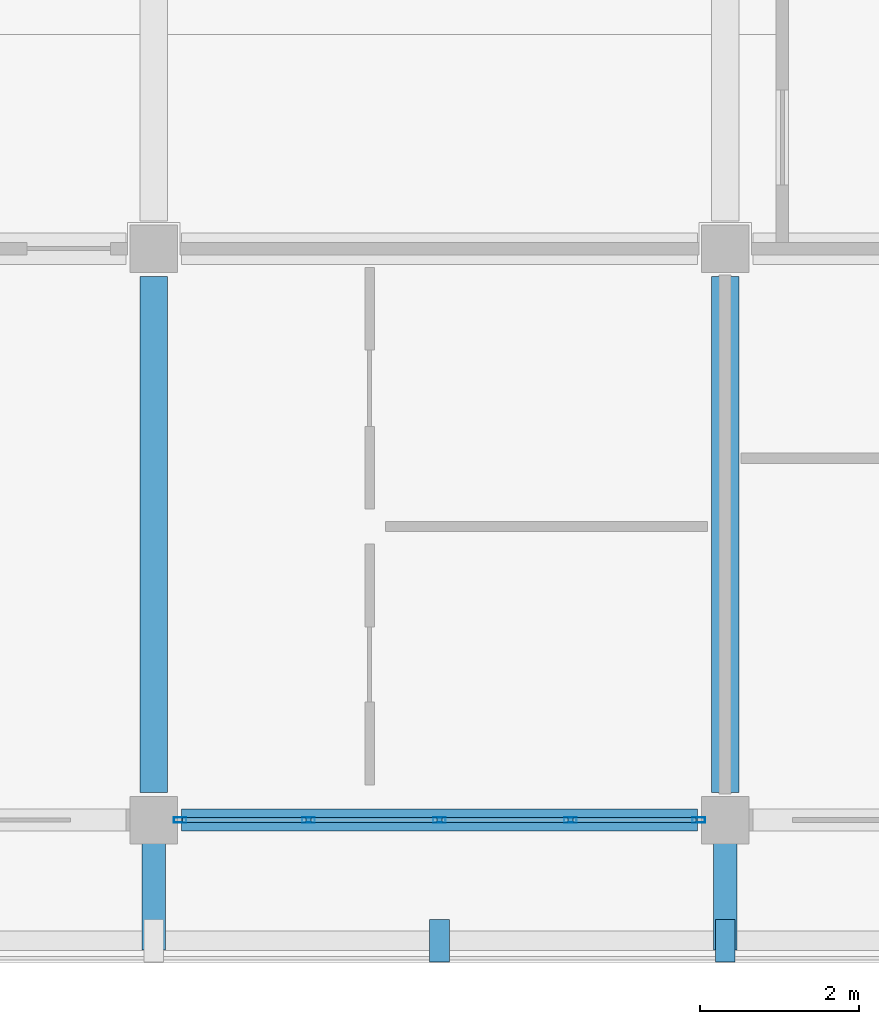
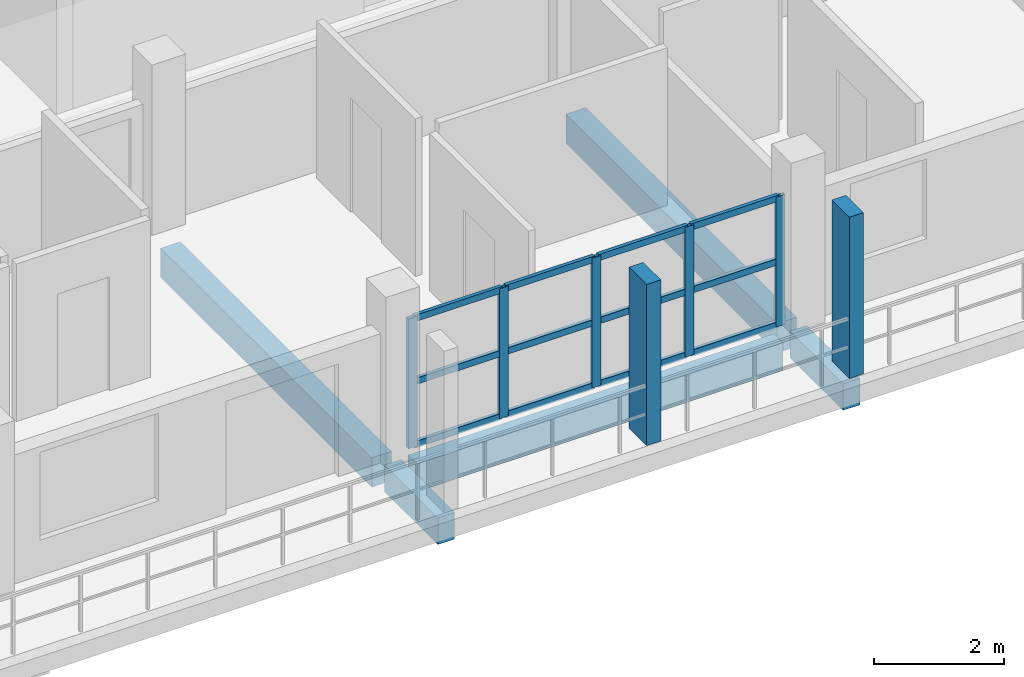
# One storey, part 18 of 157: 19 members, 5 beams, 1 element without a shape of its own.
"""IFC4 building model written with IfcOpenShell, lengths in metres."""

from ifc_helpers import new_model, si_unit, direction, frame, origin, origin_2d, place, context, subcontext, project, spatial, rectangle, hollow_rectangle, extrude, material, material_profile, profile_set, type_object, element, aggregate, save


model = new_model("IFC4")

# Units and contexts
model_context = context("Model", 3, precision=1e-05, world=origin(), true_north=direction((0.0, 1.0)))
body_context = subcontext(model_context, "Body", "Model", "MODEL_VIEW")
ifc_project = project(units=[si_unit("LENGTHUNIT", "METRE"), si_unit("AREAUNIT", "SQUARE_METRE"), si_unit("VOLUMEUNIT", "CUBIC_METRE"), si_unit("PLANEANGLEUNIT", "RADIAN"), si_unit("MASSUNIT", "GRAM", prefix="KILO")], contexts=[model_context])

# Site, building, storey
site_placement = place(None, origin())
site = spatial("IfcSite", under=ifc_project, at=site_placement, CompositionType="ELEMENT")
building_placement = place(site_placement, origin())
building = spatial("IfcBuilding", under=site, at=building_placement, Name="Suanplinth Sawtooth Commons", CompositionType="ELEMENT")
storey_placement = place(building_placement, frame((0.0, 0.0, 9.0)))
storey = spatial("IfcBuildingStorey", under=building, at=storey_placement, Name="L02", CompositionType="ELEMENT", Elevation=9.0)

# Beams
ifc_material_1 = material(Name="Precast concrete C40/50", Category="concrete")
ifc_material_profile_1 = material_profile(ifc_material_1, rectangle(XDim=0.35009765625, YDim=0.550048828125, at=origin_2d()), Name="PC-BM 350x550")
ifc_profile_set_1 = profile_set([ifc_material_profile_1], Name="Precast concrete C40/50")
beam_type_1 = type_object("IfcBeamType", Name="B-06", PredefinedType="BEAM", material=ifc_profile_set_1)
for number, where, z_axis, x_axis, name in (
    (1, (14.39990234375, 0.35009765625, -0.52490234375), (0.0, 1.0, 0.0), (-1.0, 0.0, 0.0), "BMY-L02-D-2-0"),
    (2, (21.60009765625, 0.35009765625, -0.52490234375), (0.0, 1.0, 0.0), (-1.0, 0.0, 0.0), "BMY-L02-D-3-0"),
):
    element("IfcBeam", number, at=place(storey_placement, frame(where, z_axis=z_axis, x_axis=x_axis)), inside=storey, type_object=beam_type_1, Name=name, PredefinedType="BEAM", context=body_context, shape_type="SweptSolid", body=[
        extrude(rectangle(XDim=0.35009765625, YDim=0.550048828125, at=origin_2d()), origin(), (0.0, 0.0, 1.0), 6.5),
    ])
ifc_material_profile_2 = material_profile(ifc_material_1, rectangle(XDim=0.300048828125, YDim=0.5, at=origin_2d()), Name="PC-BM 300x500")
ifc_profile_set_2 = profile_set([ifc_material_profile_2], Name="Precast concrete C40/50")
beam_type_2 = type_object("IfcBeamType", Name="B-07", PredefinedType="BEAM", material=ifc_profile_set_2)
for number, where, z_axis, x_axis, name in (
    (3, (14.39990234375, 0.0, -0.429931640625), (0.0, -1.0, 0.0), (1.0, 0.0, 0.0), "Balcony Outrigger L02-D-S-2"),
    (4, (21.60009765625, 0.0, -0.429931640625), (0.0, -1.0, 0.0), (1.0, 0.0, 0.0), "Balcony Outrigger L02-D-S-3"),
):
    element("IfcBeam", number, at=place(storey_placement, frame(where, z_axis=z_axis, x_axis=x_axis)), inside=storey, type_object=beam_type_2, Name=name, PredefinedType="BEAM", context=body_context, shape_type="SweptSolid", body=[
        extrude(rectangle(XDim=0.300048828125, YDim=0.5, at=origin_2d()), origin(), (0.0, 0.0, 1.0), 1.639892578125),
    ])
ifc_material_profile_3 = material_profile(ifc_material_1, rectangle(XDim=0.280029296875, YDim=0.52001953125, at=origin_2d()), Name="PC-SP 280x520")
ifc_profile_set_3 = profile_set([ifc_material_profile_3], Name="Precast concrete C40/50")
beam_type_3 = type_object("IfcBeamType", Name="B-08", PredefinedType="SPANDREL", material=ifc_profile_set_3)
beam_placement = place(storey_placement, frame((14.75, 0.0, -0.510009765625), z_axis=(1.0, 0.0, 0.0), x_axis=(0.0, 1.0, 0.0)))
element("IfcBeam", 5, at=beam_placement, inside=storey, type_object=beam_type_3, Name="BMX-L02-D-2-0", PredefinedType="SPANDREL", context=body_context, shape_type="SweptSolid", body=[
    extrude(rectangle(XDim=0.280029296875, YDim=0.52001953125, at=origin_2d()), origin(), (0.0, 0.0, 1.0), 6.5),
])

# Members
ifc_material_2 = material(Name="Pigmented precast concrete C40/50", Category="concrete")
ifc_material_profile_4 = material_profile(ifc_material_2, rectangle(XDim=0.25, YDim=0.5400390625, at=origin_2d()), Name="PC-FIN 250x540")
ifc_profile_set_4 = profile_set([ifc_material_profile_4], Name="Pigmented precast concrete C40/50")
member_type_1 = type_object("IfcMemberType", Name="M-11", PredefinedType="USERDEFINED", material=ifc_profile_set_4)
for number, where, z_axis, x_axis, name in (
    (6, (18.0, -1.52001953125, 0.0), (0.0, 0.0, 1.0), (1.0, 0.0, 0.0), "Upright Solar Blade L02-D-S-03"),
    (7, (21.60009765625, -1.52001953125, 0.0), (0.0, 0.0, 1.0), (1.0, 0.0, 0.0), "Upright Solar Blade L02-D-S-04"),
):
    element("IfcMember", number, at=place(storey_placement, frame(where, z_axis=z_axis, x_axis=x_axis)), inside=storey, type_object=member_type_1, Name=name, ObjectType="SHADING FIN", PredefinedType="USERDEFINED", context=body_context, shape_type="SweptSolid", body=[
        extrude(rectangle(XDim=0.25, YDim=0.5400390625, at=origin_2d()), origin(), (0.0, 0.0, 1.0), 3.030029296875),
    ])

# Curtain wall, members
ifc_material_3 = material(Name="Anodized aluminium and low-E glazing", Category="aluminium")
curtain_wall_type = type_object("IfcCurtainWallType", Name="CW-06", PredefinedType="USERDEFINED", material=ifc_material_3)
curtain_wall_placement = place(storey_placement, origin())
curtain_wall = element("IfcCurtainWall", 8, at=curtain_wall_placement, inside=storey, type_object=curtain_wall_type, Name="Curtain Wall CW-L02-D-LOUNGE-2", ObjectType="CURTAIN WALL", PredefinedType="USERDEFINED")
ifc_material_4 = material(Name="Anodized aluminium 6063-T6", Category="aluminium")
ifc_material_profile_5 = material_profile(ifc_material_4, hollow_rectangle(XDim=0.06494140625, YDim=0.159912109375, WallThickness=0.00390625, at=origin_2d()), Name="ALU-MUL 65x160")
ifc_profile_set_5 = profile_set([ifc_material_profile_5], Name="Anodized aluminium 6063-T6")
member_type_2 = type_object("IfcMemberType", Name="M-13", PredefinedType="MULLION", material=ifc_profile_set_5)
member_1_placement = place(storey_placement, frame((14.732421875, 0.0, 0.0), z_axis=(0.0, 0.0, 1.0), x_axis=(0.0, 1.0, 0.0)))
member_1 = element("IfcMember", 9, at=member_1_placement, type_object=member_type_2, Name="CW-06 mullion 1", PredefinedType="MULLION", context=body_context, shape_type="SweptSolid", body=[
    extrude(hollow_rectangle(XDim=0.06494140625, YDim=0.159912109375, WallThickness=0.00390625, at=origin_2d()), origin(), (0.0, 0.0, 1.0), 2.43994140625),
])
member_2_placement = place(storey_placement, frame((16.35009765625, 0.0, 0.0), z_axis=(0.0, 0.0, 1.0), x_axis=(0.0, 1.0, 0.0)))
member_2 = element("IfcMember", 10, at=member_2_placement, type_object=member_type_2, Name="CW-06 mullion 2", PredefinedType="MULLION", context=body_context, shape_type="SweptSolid", body=[
    extrude(hollow_rectangle(XDim=0.06494140625, YDim=0.159912109375, WallThickness=0.00390625, at=origin_2d()), origin(), (0.0, 0.0, 1.0), 2.43994140625),
])
member_3_placement = place(storey_placement, frame((18.0, 0.0, 0.0), z_axis=(0.0, 0.0, 1.0), x_axis=(0.0, 1.0, 0.0)))
member_3 = element("IfcMember", 11, at=member_3_placement, type_object=member_type_2, Name="CW-06 mullion 3", PredefinedType="MULLION", context=body_context, shape_type="SweptSolid", body=[
    extrude(hollow_rectangle(XDim=0.06494140625, YDim=0.159912109375, WallThickness=0.00390625, at=origin_2d()), origin(), (0.0, 0.0, 1.0), 2.43994140625),
])
member_4_placement = place(storey_placement, frame((19.64990234375, 0.0, 0.0), z_axis=(0.0, 0.0, 1.0), x_axis=(0.0, 1.0, 0.0)))
member_4 = element("IfcMember", 12, at=member_4_placement, type_object=member_type_2, Name="CW-06 mullion 4", PredefinedType="MULLION", context=body_context, shape_type="SweptSolid", body=[
    extrude(hollow_rectangle(XDim=0.06494140625, YDim=0.159912109375, WallThickness=0.00390625, at=origin_2d()), origin(), (0.0, 0.0, 1.0), 2.43994140625),
])
member_5_placement = place(storey_placement, frame((21.267578125, 0.0, 0.0), z_axis=(0.0, 0.0, 1.0), x_axis=(0.0, 1.0, 0.0)))
member_5 = element("IfcMember", 13, at=member_5_placement, type_object=member_type_2, Name="CW-06 mullion 5", PredefinedType="MULLION", context=body_context, shape_type="SweptSolid", body=[
    extrude(hollow_rectangle(XDim=0.06494140625, YDim=0.159912109375, WallThickness=0.00390625, at=origin_2d()), origin(), (0.0, 0.0, 1.0), 2.43994140625),
])
ifc_material_profile_6 = material_profile(ifc_material_4, hollow_rectangle(XDim=0.06494140625, YDim=0.1201171875, WallThickness=0.00390625, at=origin_2d()), Name="ALU-TRN 65x120")
ifc_profile_set_6 = profile_set([ifc_material_profile_6], Name="Anodized aluminium 6063-T6")
member_type_3 = type_object("IfcMemberType", Name="M-15", PredefinedType="USERDEFINED", material=ifc_profile_set_6)
member_6_placement = place(storey_placement, frame((14.764892578125, 0.0, 0.032470703125), z_axis=(1.0, 0.0, 0.0), x_axis=(0.0, 1.0, 0.0)))
member_6 = element("IfcMember", 14, at=member_6_placement, type_object=member_type_3, Name="CW-06 transom 1.1", ObjectType="TRANSOM", PredefinedType="USERDEFINED", context=body_context, shape_type="SweptSolid", body=[
    extrude(hollow_rectangle(XDim=0.06494140625, YDim=0.1201171875, WallThickness=0.00390625, at=origin_2d()), origin(), (0.0, 0.0, 1.0), 1.552490234375),
])
member_7_placement = place(storey_placement, frame((14.764892578125, 0.0, 1.219970703125), z_axis=(1.0, 0.0, 0.0), x_axis=(0.0, 1.0, 0.0)))
member_7 = element("IfcMember", 15, at=member_7_placement, type_object=member_type_3, Name="CW-06 transom 1.2", ObjectType="TRANSOM", PredefinedType="USERDEFINED", context=body_context, shape_type="SweptSolid", body=[
    extrude(hollow_rectangle(XDim=0.06494140625, YDim=0.1201171875, WallThickness=0.00390625, at=origin_2d()), origin(), (0.0, 0.0, 1.0), 1.552490234375),
])
member_8_placement = place(storey_placement, frame((14.764892578125, 0.0, 2.407470703125), z_axis=(1.0, 0.0, 0.0), x_axis=(0.0, 1.0, 0.0)))
member_8 = element("IfcMember", 16, at=member_8_placement, type_object=member_type_3, Name="CW-06 transom 1.3", ObjectType="TRANSOM", PredefinedType="USERDEFINED", context=body_context, shape_type="SweptSolid", body=[
    extrude(hollow_rectangle(XDim=0.06494140625, YDim=0.1201171875, WallThickness=0.00390625, at=origin_2d()), origin(), (0.0, 0.0, 1.0), 1.552490234375),
])
member_9_placement = place(storey_placement, frame((16.382568359375, 0.0, 0.032470703125), z_axis=(1.0, 0.0, 0.0), x_axis=(0.0, 1.0, 0.0)))
member_9 = element("IfcMember", 17, at=member_9_placement, type_object=member_type_3, Name="CW-06 transom 2.1", ObjectType="TRANSOM", PredefinedType="USERDEFINED", context=body_context, shape_type="SweptSolid", body=[
    extrude(hollow_rectangle(XDim=0.06494140625, YDim=0.1201171875, WallThickness=0.00390625, at=origin_2d()), origin(), (0.0, 0.0, 1.0), 1.5849609375),
])
member_10_placement = place(storey_placement, frame((16.382568359375, 0.0, 1.219970703125), z_axis=(1.0, 0.0, 0.0), x_axis=(0.0, 1.0, 0.0)))
member_10 = element("IfcMember", 18, at=member_10_placement, type_object=member_type_3, Name="CW-06 transom 2.2", ObjectType="TRANSOM", PredefinedType="USERDEFINED", context=body_context, shape_type="SweptSolid", body=[
    extrude(hollow_rectangle(XDim=0.06494140625, YDim=0.1201171875, WallThickness=0.00390625, at=origin_2d()), origin(), (0.0, 0.0, 1.0), 1.5849609375),
])
member_11_placement = place(storey_placement, frame((16.382568359375, 0.0, 2.407470703125), z_axis=(1.0, 0.0, 0.0), x_axis=(0.0, 1.0, 0.0)))
member_11 = element("IfcMember", 19, at=member_11_placement, type_object=member_type_3, Name="CW-06 transom 2.3", ObjectType="TRANSOM", PredefinedType="USERDEFINED", context=body_context, shape_type="SweptSolid", body=[
    extrude(hollow_rectangle(XDim=0.06494140625, YDim=0.1201171875, WallThickness=0.00390625, at=origin_2d()), origin(), (0.0, 0.0, 1.0), 1.5849609375),
])
member_12_placement = place(storey_placement, frame((18.032470703125, 0.0, 0.032470703125), z_axis=(1.0, 0.0, 0.0), x_axis=(0.0, 1.0, 0.0)))
member_12 = element("IfcMember", 20, at=member_12_placement, type_object=member_type_3, Name="CW-06 transom 3.1", ObjectType="TRANSOM", PredefinedType="USERDEFINED", context=body_context, shape_type="SweptSolid", body=[
    extrude(hollow_rectangle(XDim=0.06494140625, YDim=0.1201171875, WallThickness=0.00390625, at=origin_2d()), origin(), (0.0, 0.0, 1.0), 1.5849609375),
])
member_13_placement = place(storey_placement, frame((18.032470703125, 0.0, 1.219970703125), z_axis=(1.0, 0.0, 0.0), x_axis=(0.0, 1.0, 0.0)))
member_13 = element("IfcMember", 21, at=member_13_placement, type_object=member_type_3, Name="CW-06 transom 3.2", ObjectType="TRANSOM", PredefinedType="USERDEFINED", context=body_context, shape_type="SweptSolid", body=[
    extrude(hollow_rectangle(XDim=0.06494140625, YDim=0.1201171875, WallThickness=0.00390625, at=origin_2d()), origin(), (0.0, 0.0, 1.0), 1.5849609375),
])
member_14_placement = place(storey_placement, frame((18.032470703125, 0.0, 2.407470703125), z_axis=(1.0, 0.0, 0.0), x_axis=(0.0, 1.0, 0.0)))
member_14 = element("IfcMember", 22, at=member_14_placement, type_object=member_type_3, Name="CW-06 transom 3.3", ObjectType="TRANSOM", PredefinedType="USERDEFINED", context=body_context, shape_type="SweptSolid", body=[
    extrude(hollow_rectangle(XDim=0.06494140625, YDim=0.1201171875, WallThickness=0.00390625, at=origin_2d()), origin(), (0.0, 0.0, 1.0), 1.5849609375),
])
member_15_placement = place(storey_placement, frame((19.6826171875, 0.0, 0.032470703125), z_axis=(1.0, 0.0, 0.0), x_axis=(0.0, 1.0, 0.0)))
member_15 = element("IfcMember", 23, at=member_15_placement, type_object=member_type_3, Name="CW-06 transom 4.1", ObjectType="TRANSOM", PredefinedType="USERDEFINED", context=body_context, shape_type="SweptSolid", body=[
    extrude(hollow_rectangle(XDim=0.06494140625, YDim=0.1201171875, WallThickness=0.00390625, at=origin_2d()), origin(), (0.0, 0.0, 1.0), 1.552490234375),
])
member_16_placement = place(storey_placement, frame((19.6826171875, 0.0, 1.219970703125), z_axis=(1.0, 0.0, 0.0), x_axis=(0.0, 1.0, 0.0)))
member_16 = element("IfcMember", 24, at=member_16_placement, type_object=member_type_3, Name="CW-06 transom 4.2", ObjectType="TRANSOM", PredefinedType="USERDEFINED", context=body_context, shape_type="SweptSolid", body=[
    extrude(hollow_rectangle(XDim=0.06494140625, YDim=0.1201171875, WallThickness=0.00390625, at=origin_2d()), origin(), (0.0, 0.0, 1.0), 1.552490234375),
])
member_17_placement = place(storey_placement, frame((19.6826171875, 0.0, 2.407470703125), z_axis=(1.0, 0.0, 0.0), x_axis=(0.0, 1.0, 0.0)))
member_17 = element("IfcMember", 25, at=member_17_placement, type_object=member_type_3, Name="CW-06 transom 4.3", ObjectType="TRANSOM", PredefinedType="USERDEFINED", context=body_context, shape_type="SweptSolid", body=[
    extrude(hollow_rectangle(XDim=0.06494140625, YDim=0.1201171875, WallThickness=0.00390625, at=origin_2d()), origin(), (0.0, 0.0, 1.0), 1.552490234375),
])
aggregate(curtain_wall, [member_1, member_2, member_3, member_4, member_5, member_6, member_7, member_8, member_9, member_10, member_11, member_12, member_13, member_14, member_15, member_16, member_17])

save(model, "model.ifc")
